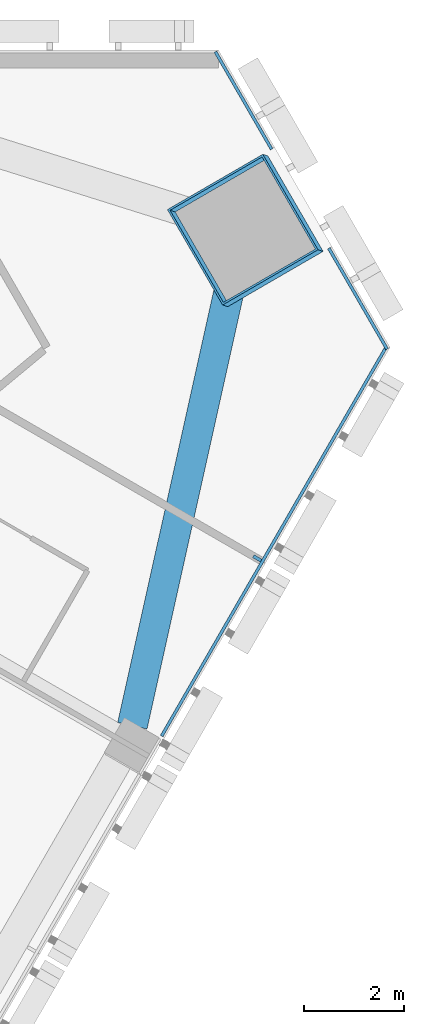
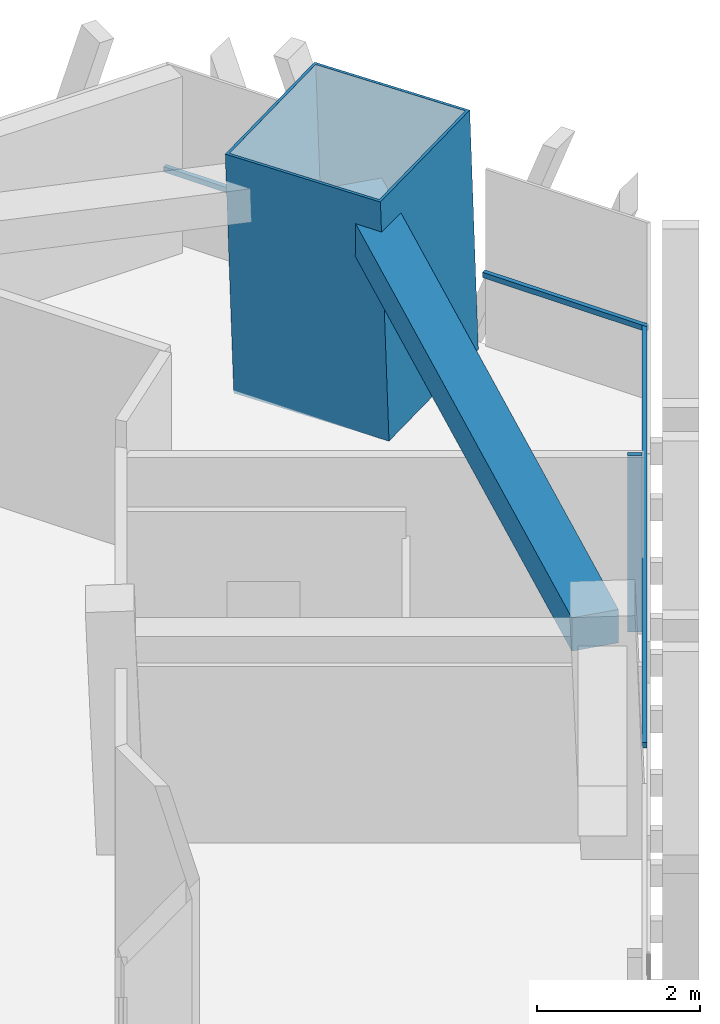
# One storey, part 7 of 16: 5 members, 1 beam, 2 elements without a shape of their own.
"""IFC4 building model written with IfcOpenShell, lengths in metres."""

from ifc_helpers import new_model, si_unit, direction, frame, origin, origin_2d, place, context, subcontext, project, spatial, rectangle, hollow_rectangle, extrude, material, layer, layer_set, material_profile, profile_set, type_object, element, aggregate, save


model = new_model("IFC4")

# Units and contexts
model_context = context("Model", 3, precision=1e-05, world=origin(), true_north=direction((0.0, 1.0)))
body_context = subcontext(model_context, "Body", "Model", "MODEL_VIEW")
ifc_project = project(units=[si_unit("LENGTHUNIT", "METRE"), si_unit("AREAUNIT", "SQUARE_METRE"), si_unit("VOLUMEUNIT", "CUBIC_METRE"), si_unit("PLANEANGLEUNIT", "RADIAN"), si_unit("MASSUNIT", "GRAM", prefix="KILO")], contexts=[model_context])

# Site, building, storey
site_placement = place(None, origin())
site = spatial("IfcSite", under=ifc_project, at=site_placement, CompositionType="ELEMENT")
building_placement = place(site_placement, origin())
building = spatial("IfcBuilding", under=site, at=building_placement, Name="Altiplano Prism Tower", CompositionType="ELEMENT")
storey_placement = place(building_placement, frame((0.0, 0.0, 174.60009765625)))
storey = spatial("IfcBuildingStorey", under=building, at=storey_placement, Name="L45", CompositionType="ELEMENT", Elevation=174.60009765625)

# Curtain wall, members
ifc_material_1 = material(Name="Aluminium and glass", Category="aluminium")
ifc_layer = layer(ifc_material_1, 0.280029296875)
ifc_layer_set = layer_set([ifc_layer], Name="Aluminium and glass")
curtain_wall_type = type_object("IfcCurtainWallType", Name="CW1 typical co-living unitised curtain wall", PredefinedType="NOTDEFINED", material=ifc_layer_set)
curtain_wall_1_placement = place(storey_placement, origin())
curtain_wall_1 = element("IfcCurtainWall", 1, at=curtain_wall_1_placement, inside=storey, type_object=curtain_wall_type, Name="CW1 curtain wall south-east face L45", PredefinedType="NOTDEFINED")
ifc_material_2 = material(Name="Aluminium", Category="aluminium")
ifc_material_profile_1 = material_profile(ifc_material_2, rectangle(XDim=0.179931640625, YDim=0.06494140625, at=origin_2d()), Name="CW1 mullion 65 x 180")
ifc_profile_set_1 = profile_set([ifc_material_profile_1], Name="Aluminium")
member_type_1 = type_object("IfcMemberType", Name="CW1 mullion 65 x 180", PredefinedType="MULLION", material=ifc_profile_set_1)
member_1_placement = place(storey_placement, frame((108.742431640625, 94.86376953125, 0.0), z_axis=(0.0, 0.0, 1.0), x_axis=(-0.866025407144, 0.499999994181, 0.0)))
member_1 = element("IfcMember", 2, at=member_1_placement, type_object=member_type_1, Name="CW1 mullion", PredefinedType="MULLION", context=body_context, shape_type="SweptSolid", body=[
    extrude(rectangle(XDim=0.179931640625, YDim=0.06494140625, at=origin_2d()), origin(), (0.0, 0.0, 1.0), 2.64990234375),
])
ifc_material_profile_2 = material_profile(ifc_material_2, rectangle(XDim=0.06005859375, YDim=0.080078125, at=origin_2d()), Name="CW1 transom 80 x 60")
ifc_profile_set_2 = profile_set([ifc_material_profile_2], Name="Aluminium")
member_type_2 = type_object("IfcMemberType", Name="CW1 transom 80 x 60", PredefinedType="USERDEFINED", material=ifc_profile_set_2)
member_2_placement = place(storey_placement, frame((106.836181640625, 91.322021484375, 1.099853515625), z_axis=(0.500006108488, 0.866021877019, 0.0), x_axis=(-0.866021877019, 0.500006108488, 0.0)))
member_2 = element("IfcMember", 3, at=member_2_placement, type_object=member_type_2, Name="CW1 transom", ObjectType="TRANSOM", PredefinedType="USERDEFINED", context=body_context, shape_type="SweptSolid", body=[
    extrude(rectangle(XDim=0.06005859375, YDim=0.080078125, at=origin_2d()), origin(), (0.0, 0.0, 1.0), 8.990234375),
])
aggregate(curtain_wall_1, [member_1, member_2])

curtain_wall_2_placement = place(storey_placement, origin())
curtain_wall_2 = element("IfcCurtainWall", 4, at=curtain_wall_2_placement, inside=storey, type_object=curtain_wall_type, Name="CW1 curtain wall north-east chamfer L45", PredefinedType="NOTDEFINED")
member_3_placement = place(storey_placement, frame((111.331298828125, 99.037841796875, 1.099853515625), z_axis=(-0.500028846479, 0.866008748622, 0.0), x_axis=(-0.866008748622, -0.500028846479, 0.0)))
member_3 = element("IfcMember", 5, at=member_3_placement, type_object=member_type_2, Name="CW1 transom", ObjectType="TRANSOM", PredefinedType="USERDEFINED", context=body_context, shape_type="SweptSolid", body=[
    extrude(rectangle(XDim=0.06005859375, YDim=0.080078125, at=origin_2d()), origin(), (0.0, 0.0, 1.0), 2.322021484375),
])
member_4_placement = place(storey_placement, frame((109.030029296875, 103.023193359375, 1.099853515625), z_axis=(-0.499898401998, 0.866084053473, 0.0), x_axis=(-0.866084053473, -0.499898401998, 0.0)))
member_4 = element("IfcMember", 6, at=member_4_placement, type_object=member_type_2, Name="CW1 transom", ObjectType="TRANSOM", PredefinedType="USERDEFINED", context=body_context, shape_type="SweptSolid", body=[
    extrude(rectangle(XDim=0.06005859375, YDim=0.080078125, at=origin_2d()), origin(), (0.0, 0.0, 1.0), 2.2421875),
])
aggregate(curtain_wall_2, [member_3, member_4])

# Beam
ifc_material_3 = material(Name="Concrete C60/75", Category="concrete")
ifc_material_profile_3 = material_profile(ifc_material_3, rectangle(XDim=0.60009765625, YDim=0.5, at=origin_2d()), Name="Edge beam 600x500")
ifc_profile_set_3 = profile_set([ifc_material_profile_3], Name="Concrete C60/75")
beam_type = type_object("IfcBeamType", Name="Edge beam 600x500", PredefinedType="SPANDREL", material=ifc_profile_set_3)
beam_placement = place(storey_placement, frame((106.252197265625, 91.52734375, 2.89990234375), z_axis=(0.217135990797, 0.976141363482, 0.0), x_axis=(-0.976141363482, 0.217135990797, 0.0)))
element("IfcBeam", 7, at=beam_placement, inside=storey, type_object=beam_type, Name="Edge beam P24-M2 L46", PredefinedType="SPANDREL", context=body_context, shape_type="SweptSolid", body=[
    extrude(rectangle(XDim=0.60009765625, YDim=0.5, at=origin_2d()), origin(), (0.0, 0.0, 1.0), 9.68408203125),
])

# Member
ifc_material_4 = material(Name="Steel S460", Category="steel")
ifc_material_profile_4 = material_profile(ifc_material_4, hollow_rectangle(XDim=2.199951171875, YDim=2.199951171875, WallThickness=0.0400390625, at=origin_2d()), Name="Mega column tube 2200")
ifc_profile_set_4 = profile_set([ifc_material_profile_4], Name="Steel S460")
member_type_3 = type_object("IfcMemberType", Name="Mega column tube 2200", PredefinedType="POST", material=ifc_profile_set_4)
member_5_placement = place(storey_placement, frame((108.554931640625, 101.386474609375, 0.0), z_axis=(-0.028403739082, 0.009219352065, 0.999554016126), x_axis=(0.500767574362, -0.865296773134, 0.022211052886)))
element("IfcMember", 8, at=member_5_placement, inside=storey, type_object=member_type_3, Name="Mega column tube M2 L45", PredefinedType="POST", context=body_context, shape_type="SweptSolid", body=[
    extrude(hollow_rectangle(XDim=2.199951171875, YDim=2.199951171875, WallThickness=0.0400390625, at=origin_2d()), origin(), (0.0, 0.0, 1.0), 3.6015625),
])

save(model, "model.ifc")
